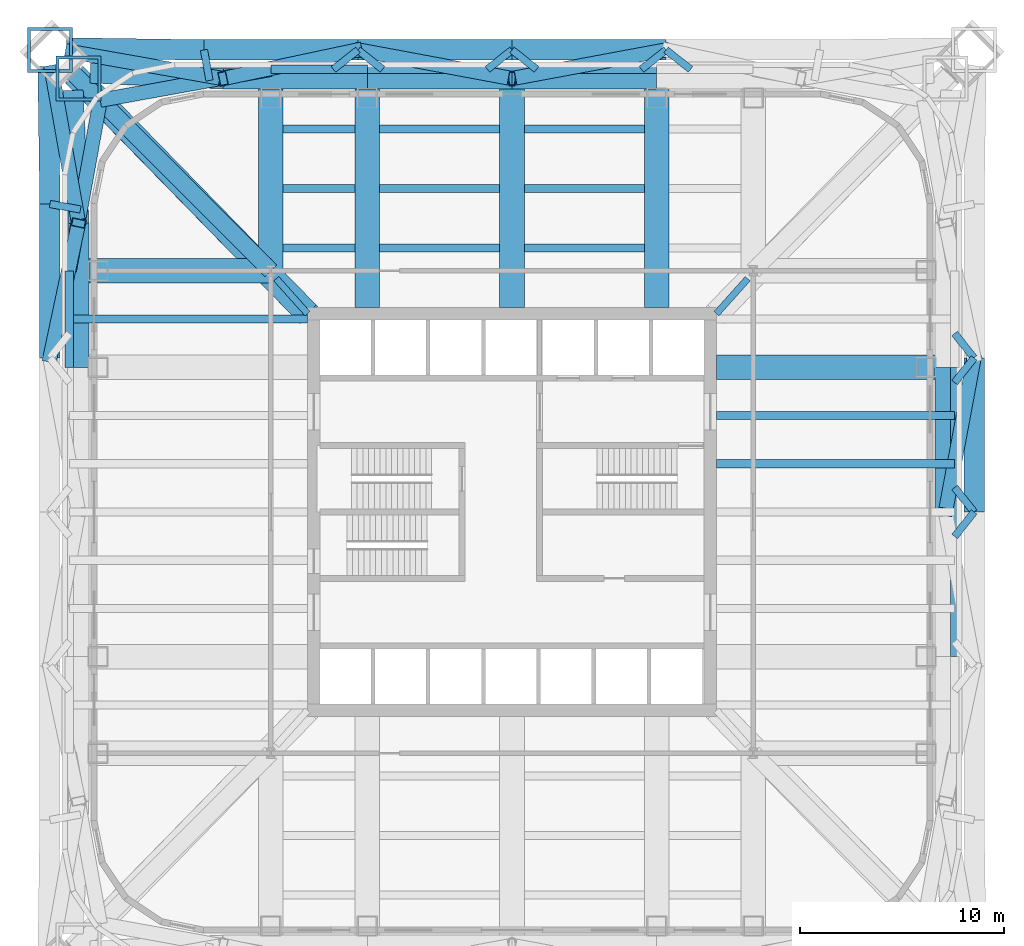
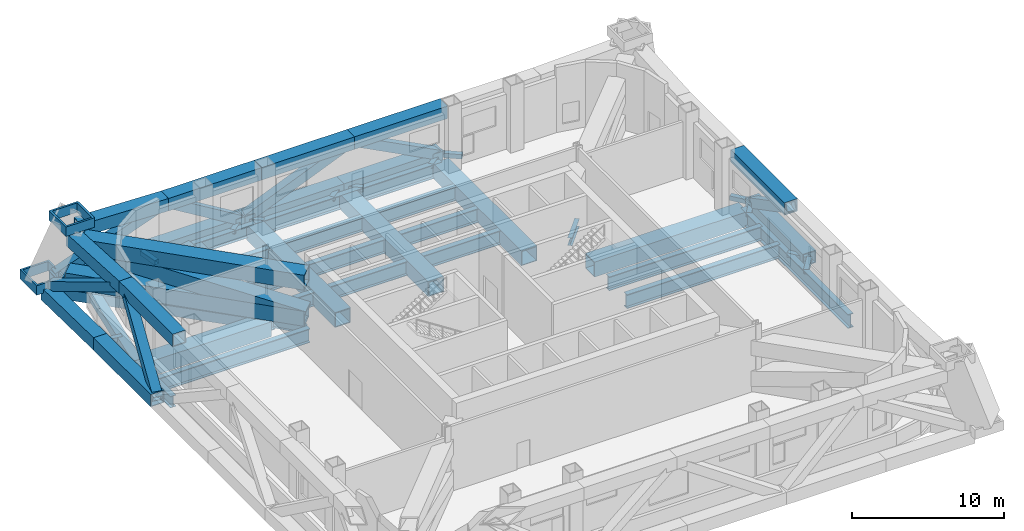
# One storey, part 3 of 9: 55 beams, 10 members.
"""IFC4 building model written with IfcOpenShell, lengths in metres."""

from ifc_helpers import new_model, si_unit, direction, frame, origin, origin_2d, place, context, subcontext, project, spatial, hollow_rectangle, i_section, extrude, material, material_profile, profile_set, type_object, element, save


model = new_model("IFC4")

# Units and contexts
model_context = context("Model", 3, precision=1e-05, world=origin(), true_north=direction((0.0, 1.0)))
body_context = subcontext(model_context, "Body", "Model", "MODEL_VIEW")
ifc_project = project(units=[si_unit("LENGTHUNIT", "METRE"), si_unit("AREAUNIT", "SQUARE_METRE"), si_unit("VOLUMEUNIT", "CUBIC_METRE"), si_unit("PLANEANGLEUNIT", "RADIAN"), si_unit("MASSUNIT", "GRAM", prefix="KILO")], contexts=[model_context])

# Site, building, storey
site_placement = place(None, origin())
site = spatial("IfcSite", under=ifc_project, at=site_placement, CompositionType="ELEMENT")
building_placement = place(site_placement, origin())
building = spatial("IfcBuilding", under=site, at=building_placement, Name="Turquesa Mirador Hotel Tower", CompositionType="ELEMENT")
storey_placement = place(building_placement, frame((0.0, 0.0, 88.0)))
storey = spatial("IfcBuildingStorey", under=building, at=storey_placement, Name="L23", CompositionType="ELEMENT", Elevation=88.0)

# Beams
ifc_material_1 = material(Name="Steel ASTM A572 Grade 50", Category="steel")
ifc_material_profile_1 = material_profile(ifc_material_1, hollow_rectangle(XDim=1.199951171875, YDim=1.199951171875, WallThickness=0.06005859375, at=origin_2d()), Name="BOX1200X1200X60")
ifc_profile_set_1 = profile_set([ifc_material_profile_1], Name="Steel ASTM A572 Grade 50")
beam_type_1 = type_object("IfcBeamType", Name="BEAM BOX1200X1200X60", PredefinedType="BEAM", material=ifc_profile_set_1)
for number, where, z_axis, x_axis, name in (
    (1, (47.919921875, 66.64990234375, -0.85009765625), (0.0, -1.0, 0.0), (1.0, 0.0, 0.0), "GD-L23-N--7.08"),
    (2, (62.080078125, 66.64990234375, -0.85009765625), (0.0, -1.0, 0.0), (1.0, 0.0, 0.0), "GD-L23-N-+7.08"),
    (3, (55.0, 66.64990234375, -0.85009765625), (0.0, -1.0, 0.0), (1.0, 0.0, 0.0), "GD-L23-N-+0.00"),
):
    element("IfcBeam", number, at=place(storey_placement, frame(where, z_axis=z_axis, x_axis=x_axis)), inside=storey, type_object=beam_type_1, Name=name, PredefinedType="BEAM", context=body_context, shape_type="SweptSolid", body=[
        extrude(hollow_rectangle(XDim=1.199951171875, YDim=1.199951171875, WallThickness=0.06005859375, at=origin_2d()), origin(), (0.0, 0.0, 1.0), 11.64990234375),
    ])
beam_1_placement = place(storey_placement, frame((43.199951171875, 66.64990234375, -0.85009765625), z_axis=(0.0, -1.0, 0.0), x_axis=(1.0, 0.0, 0.0)))
element("IfcBeam", 4, at=beam_1_placement, inside=storey, type_object=beam_type_1, Name="GK-L23-N--11.80", PredefinedType="BEAM", context=body_context, shape_type="SweptSolid", body=[
    extrude(hollow_rectangle(XDim=1.199951171875, YDim=1.199951171875, WallThickness=0.06005859375, at=origin_2d()), origin(), (0.0, 0.0, 1.0), 9.849853515625),
])
beam_2_placement = place(storey_placement, frame((76.64990234375, 52.080078125, -0.85009765625), z_axis=(-1.0, 0.0, 0.0), x_axis=(0.0, -1.0, 0.0)))
element("IfcBeam", 5, at=beam_2_placement, inside=storey, type_object=beam_type_1, Name="GD-L23-E-+7.08", PredefinedType="BEAM", context=body_context, shape_type="SweptSolid", body=[
    extrude(hollow_rectangle(XDim=1.199951171875, YDim=1.199951171875, WallThickness=0.06005859375, at=origin_2d()), origin(), (0.0, 0.0, 1.0), 11.64990234375),
])
beam_3_placement = place(storey_placement, frame((33.35009765625, 56.800048828125, -0.85009765625), z_axis=(1.0, 0.0, 0.0), x_axis=(0.0, 1.0, 0.0)))
element("IfcBeam", 6, at=beam_3_placement, inside=storey, type_object=beam_type_1, Name="GK-L23-W-+11.80", PredefinedType="BEAM", context=body_context, shape_type="SweptSolid", body=[
    extrude(hollow_rectangle(XDim=1.199951171875, YDim=1.199951171875, WallThickness=0.06005859375, at=origin_2d()), origin(), (0.0, 0.0, 1.0), 9.849853515625),
])
ifc_material_2 = material(Name="Steel ASTM A572 Grade 50", Category="steel")
ifc_material_profile_2 = material_profile(ifc_material_2, hollow_rectangle(XDim=0.699951171875, YDim=0.699951171875, WallThickness=0.044921875, at=origin_2d()), Name="BOX700X700X45")
ifc_profile_set_2 = profile_set([ifc_material_profile_2], Name="Steel ASTM A572 Grade 50")
beam_type_2 = type_object("IfcBeamType", Name="BEAM BOX700X700X45", PredefinedType="BEAM", material=ifc_profile_set_2)
for number, where, z_axis, x_axis, name in (
    (7, (33.35009765625, 56.800048828125, -0.60009765625), (0.177932387818, 0.984042715214, 0.0), (-0.984042715214, 0.177932387818, 0.0), "KE-L23-2-0"),
    (8, (34.8583984375, 65.1416015625, -0.60009765625), (0.984042715214, 0.177932387818, 0.0), (-0.177932387818, 0.984042715214, 0.0), "KE-L23-2-1"),
):
    element("IfcBeam", number, at=place(storey_placement, frame(where, z_axis=z_axis, x_axis=x_axis)), inside=storey, type_object=beam_type_2, Name=name, PredefinedType="BEAM", context=body_context, shape_type="SweptSolid", body=[
        extrude(hollow_rectangle(XDim=0.699951171875, YDim=0.699951171875, WallThickness=0.044921875, at=origin_2d()), origin(), (0.0, 0.0, 1.0), 8.476806640625),
    ])
ifc_material_3 = material(Name="Steel ASTM A572 Grade 50", Category="steel")
ifc_material_profile_3 = material_profile(ifc_material_3, hollow_rectangle(XDim=0.800048828125, YDim=0.800048828125, WallThickness=0.050048828125, at=origin_2d()), Name="BOX800X800X50")
ifc_profile_set_3 = profile_set([ifc_material_profile_3], Name="Steel ASTM A572 Grade 50")
beam_type_3 = type_object("IfcBeamType", Name="BEAM BOX800X800X50", PredefinedType="BEAM", material=ifc_profile_set_3)
beam_4_placement = place(storey_placement, frame((43.199951171875, 56.800048828125, -0.64990234375), z_axis=(-0.707106781187, 0.707106781187, 0.0), x_axis=(-0.707106781187, -0.707106781187, 0.0)))
element("IfcBeam", 9, at=beam_4_placement, inside=storey, type_object=beam_type_3, Name="KD-L23-2", PredefinedType="BEAM", context=body_context, shape_type="SweptSolid", body=[
    extrude(hollow_rectangle(XDim=0.800048828125, YDim=0.800048828125, WallThickness=0.050048828125, at=origin_2d()), origin(), (0.0, 0.0, 1.0), 13.78857421875),
])
ifc_material_4 = material(Name="Steel ASTM A992 Grade 50", Category="steel")
ifc_material_profile_4 = material_profile(ifc_material_4, i_section(OverallWidth=0.3251953125, OverallDepth=0.612060546875, WebThickness=0.0126953125, FlangeThickness=0.01904296875, at=origin_2d()), Name="W24X104")
ifc_profile_set_4 = profile_set([ifc_material_profile_4], Name="Steel ASTM A992 Grade 50")
beam_type_4 = type_object("IfcBeamType", Name="BEAM W24X104", PredefinedType="BEAM", material=ifc_profile_set_4)
for number, where, z_axis, x_axis, name in (
    (10, (66.529541015625, 56.40966796875, -0.55615234375), (-0.666745084392, -0.745285846129, 0.0), (0.745285846129, -0.666745084392, 0.0), "KT-L23-1"),
    (11, (43.470458984375, 56.40966796875, -0.55615234375), (0.666745084392, -0.745285846129, 0.0), (0.745285846129, 0.666745084392, 0.0), "KT-L23-2"),
):
    element("IfcBeam", number, at=place(storey_placement, frame(where, z_axis=z_axis, x_axis=x_axis)), inside=storey, type_object=beam_type_4, Name=name, PredefinedType="BEAM", context=body_context, shape_type="SweptSolid", body=[
        extrude(i_section(OverallWidth=0.3251953125, OverallDepth=0.612060546875, WebThickness=0.0126953125, FlangeThickness=0.01904296875, at=origin_2d()), origin(), (0.0, 0.0, 1.0), 2.2939453125),
    ])
ifc_material_5 = material(Name="Steel ASTM A992 Grade 50", Category="steel")
ifc_material_profile_5 = material_profile(ifc_material_5, i_section(OverallWidth=0.419189453125, OverallDepth=0.927001953125, WebThickness=0.019287109375, FlangeThickness=0.031982421875, at=origin_2d()), Name="W36X231")
ifc_profile_set_5 = profile_set([ifc_material_profile_5], Name="Steel ASTM A992 Grade 50")
beam_type_5 = type_object("IfcBeamType", Name="BEAM W36X231", PredefinedType="BEAM", material=ifc_profile_set_5)
for number, where, z_axis, x_axis, name in (
    (12, (43.199951171875, 66.64990234375, -0.713623046875), (1.0, 0.0, 0.0), (0.0, 1.0, 0.0), "EB-L23-N-L"),
    (13, (33.35009765625, 52.080078125, -0.713623046875), (0.0, 1.0, 0.0), (-1.0, 0.0, 0.0), "EB-L23-W-R"),
):
    element("IfcBeam", number, at=place(storey_placement, frame(where, z_axis=z_axis, x_axis=x_axis)), inside=storey, type_object=beam_type_5, Name=name, PredefinedType="BEAM", context=body_context, shape_type="SweptSolid", body=[
        extrude(i_section(OverallWidth=0.419189453125, OverallDepth=0.927001953125, WebThickness=0.019287109375, FlangeThickness=0.031982421875, at=origin_2d()), origin(), (0.0, 0.0, 1.0), 4.719970703125),
    ])
ifc_material_6 = material(Name="Steel ASTM A992 Grade 50", Category="steel")
ifc_material_profile_6 = material_profile(ifc_material_6, i_section(OverallWidth=0.40380859375, OverallDepth=1.11767578125, WebThickness=0.026123046875, FlangeThickness=0.044921875, at=origin_2d()), Name="W44X335")
ifc_profile_set_6 = profile_set([ifc_material_profile_6], Name="Steel ASTM A992 Grade 50")
beam_type_6 = type_object("IfcBeamType", Name="BEAM W44X335", PredefinedType="BEAM", material=ifc_profile_set_6)
beam_5_placement = place(storey_placement, frame((43.800048828125, 57.912109375, -0.808837890625), z_axis=(1.0, 0.0, 0.0), x_axis=(0.0, 1.0, 0.0)))
element("IfcBeam", 14, at=beam_5_placement, inside=storey, type_object=beam_type_6, Name="IB-L23-N-1-0", PredefinedType="BEAM", context=body_context, shape_type="SweptSolid", body=[
    extrude(i_section(OverallWidth=0.40380859375, OverallDepth=1.11767578125, WebThickness=0.026123046875, FlangeThickness=0.044921875, at=origin_2d()), origin(), (0.0, 0.0, 1.0), 3.52001953125),
])
for number, where, z_axis, x_axis, name in (
    (15, (48.52001953125, 57.912109375, -0.808837890625), (1.0, 0.0, 0.0), (0.0, 1.0, 0.0), "IB-L23-N-1-1"),
    (16, (55.60009765625, 57.912109375, -0.808837890625), (1.0, 0.0, 0.0), (0.0, 1.0, 0.0), "IB-L23-N-1-2"),
):
    element("IfcBeam", number, at=place(storey_placement, frame(where, z_axis=z_axis, x_axis=x_axis)), inside=storey, type_object=beam_type_6, Name=name, PredefinedType="BEAM", context=body_context, shape_type="SweptSolid", body=[
        extrude(i_section(OverallWidth=0.40380859375, OverallDepth=1.11767578125, WebThickness=0.026123046875, FlangeThickness=0.044921875, at=origin_2d()), origin(), (0.0, 0.0, 1.0), 5.8798828125),
    ])
beam_6_placement = place(storey_placement, frame((43.800048828125, 60.824951171875, -0.808837890625), z_axis=(1.0, 0.0, 0.0), x_axis=(0.0, 1.0, 0.0)))
element("IfcBeam", 17, at=beam_6_placement, inside=storey, type_object=beam_type_6, Name="IB-L23-N-2-0", PredefinedType="BEAM", context=body_context, shape_type="SweptSolid", body=[
    extrude(i_section(OverallWidth=0.40380859375, OverallDepth=1.11767578125, WebThickness=0.026123046875, FlangeThickness=0.044921875, at=origin_2d()), origin(), (0.0, 0.0, 1.0), 3.52001953125),
])
for number, where, z_axis, x_axis, name in (
    (18, (48.52001953125, 60.824951171875, -0.808837890625), (1.0, 0.0, 0.0), (0.0, 1.0, 0.0), "IB-L23-N-2-1"),
    (19, (55.60009765625, 60.824951171875, -0.808837890625), (1.0, 0.0, 0.0), (0.0, 1.0, 0.0), "IB-L23-N-2-2"),
):
    element("IfcBeam", number, at=place(storey_placement, frame(where, z_axis=z_axis, x_axis=x_axis)), inside=storey, type_object=beam_type_6, Name=name, PredefinedType="BEAM", context=body_context, shape_type="SweptSolid", body=[
        extrude(i_section(OverallWidth=0.40380859375, OverallDepth=1.11767578125, WebThickness=0.026123046875, FlangeThickness=0.044921875, at=origin_2d()), origin(), (0.0, 0.0, 1.0), 5.8798828125),
    ])
beam_7_placement = place(storey_placement, frame((43.800048828125, 63.737060546875, -0.808837890625), z_axis=(1.0, 0.0, 0.0), x_axis=(0.0, 1.0, 0.0)))
element("IfcBeam", 20, at=beam_7_placement, inside=storey, type_object=beam_type_6, Name="IB-L23-N-3-0", PredefinedType="BEAM", context=body_context, shape_type="SweptSolid", body=[
    extrude(i_section(OverallWidth=0.40380859375, OverallDepth=1.11767578125, WebThickness=0.026123046875, FlangeThickness=0.044921875, at=origin_2d()), origin(), (0.0, 0.0, 1.0), 3.52001953125),
])
for number, where, z_axis, x_axis, name in (
    (21, (48.52001953125, 63.737060546875, -0.808837890625), (1.0, 0.0, 0.0), (0.0, 1.0, 0.0), "IB-L23-N-3-1"),
    (22, (55.60009765625, 63.737060546875, -0.808837890625), (1.0, 0.0, 0.0), (0.0, 1.0, 0.0), "IB-L23-N-3-2"),
):
    element("IfcBeam", number, at=place(storey_placement, frame(where, z_axis=z_axis, x_axis=x_axis)), inside=storey, type_object=beam_type_6, Name=name, PredefinedType="BEAM", context=body_context, shape_type="SweptSolid", body=[
        extrude(i_section(OverallWidth=0.40380859375, OverallDepth=1.11767578125, WebThickness=0.026123046875, FlangeThickness=0.044921875, at=origin_2d()), origin(), (0.0, 0.0, 1.0), 5.8798828125),
    ])
beam_8_placement = place(storey_placement, frame((47.919921875, 66.64990234375, -0.808837890625), z_axis=(1.0, 0.0, 0.0), x_axis=(0.0, 1.0, 0.0)))
element("IfcBeam", 23, at=beam_8_placement, inside=storey, type_object=beam_type_6, Name="EB-L23-N-C", PredefinedType="BEAM", context=body_context, shape_type="SweptSolid", body=[
    extrude(i_section(OverallWidth=0.40380859375, OverallDepth=1.11767578125, WebThickness=0.026123046875, FlangeThickness=0.044921875, at=origin_2d()), origin(), (0.0, 0.0, 1.0), 14.16015625),
])
for number, where, z_axis, x_axis, name in (
    (24, (76.64990234375, 47.360107421875, -0.808837890625), (-1.0, 0.0, 0.0), (0.0, -1.0, 0.0), "BM-L23-E-+2.36"),
    (25, (76.64990234375, 49.719970703125, -0.808837890625), (-1.0, 0.0, 0.0), (0.0, -1.0, 0.0), "BM-L23-E-+4.72"),
):
    element("IfcBeam", number, at=place(storey_placement, frame(where, z_axis=z_axis, x_axis=x_axis)), inside=storey, type_object=beam_type_6, Name=name, PredefinedType="BEAM", context=body_context, shape_type="SweptSolid", body=[
        extrude(i_section(OverallWidth=0.40380859375, OverallDepth=1.11767578125, WebThickness=0.026123046875, FlangeThickness=0.044921875, at=origin_2d()), origin(), (0.0, 0.0, 1.0), 11.64990234375),
    ])
beam_9_placement = place(storey_placement, frame((76.64990234375, 37.919921875, -0.808837890625), z_axis=(0.0, 1.0, 0.0), x_axis=(-1.0, 0.0, 0.0)))
element("IfcBeam", 26, at=beam_9_placement, inside=storey, type_object=beam_type_6, Name="EB-L23-E-C", PredefinedType="BEAM", context=body_context, shape_type="SweptSolid", body=[
    extrude(i_section(OverallWidth=0.40380859375, OverallDepth=1.11767578125, WebThickness=0.026123046875, FlangeThickness=0.044921875, at=origin_2d()), origin(), (0.0, 0.0, 1.0), 14.16015625),
])
beam_10_placement = place(storey_placement, frame((33.35009765625, 54.43994140625, -0.808837890625), z_axis=(1.0, 0.0, 0.0), x_axis=(0.0, 1.0, 0.0)))
element("IfcBeam", 27, at=beam_10_placement, inside=storey, type_object=beam_type_6, Name="BM-L23-W-+9.44", PredefinedType="BEAM", context=body_context, shape_type="SweptSolid", body=[
    extrude(i_section(OverallWidth=0.40380859375, OverallDepth=1.11767578125, WebThickness=0.026123046875, FlangeThickness=0.044921875, at=origin_2d()), origin(), (0.0, 0.0, 1.0), 11.64990234375),
])
ifc_material_7 = material(Name="Steel ASTM A572 Grade 50", Category="steel")
ifc_material_profile_7 = material_profile(ifc_material_7, hollow_rectangle(XDim=1.0, YDim=1.0, WallThickness=0.06005859375, at=origin_2d()), Name="BOX1000X1000X60")
ifc_profile_set_7 = profile_set([ifc_material_profile_7], Name="Steel ASTM A572 Grade 50")
beam_type_7 = type_object("IfcBeamType", Name="BELT TRUSS CHORD BOX1000X1000X60", PredefinedType="BEAM", material=ifc_profile_set_7)
beam_11_placement = place(storey_placement, frame((33.206298828125, 67.697509765625, -0.427734375), z_axis=(0.999895171784, -0.014479138185, 0.0), x_axis=(0.014479138185, 0.999895171784, 0.0)))
element("IfcBeam", 28, at=beam_11_placement, inside=storey, type_object=beam_type_7, Name="Belt truss bottom chord N", PredefinedType="BEAM", context=body_context, shape_type="SweptSolid", body=[
    extrude(hollow_rectangle(XDim=1.0, YDim=1.0, WallThickness=0.06005859375, at=origin_2d()), origin(), (0.0, 0.0, 1.0), 6.727783203125),
])
beam_12_placement = place(storey_placement, frame((34.374267578125, 66.473876953125, 4.199951171875), z_axis=(0.999111122938, -0.042154051064, 0.0), x_axis=(0.042154051064, 0.999111122938, 0.0)))
element("IfcBeam", 29, at=beam_12_placement, inside=storey, type_object=beam_type_7, Name="Belt truss top chord N", PredefinedType="BEAM", context=body_context, shape_type="SweptSolid", body=[
    extrude(hollow_rectangle(XDim=1.0, YDim=1.0, WallThickness=0.06005859375, at=origin_2d()), origin(), (0.0, 0.0, 1.0), 6.498291015625),
])
beam_13_placement = place(storey_placement, frame((39.933349609375, 67.60009765625, -0.427734375), z_axis=(1.0, 0.0, 0.0), x_axis=(0.0, 1.0, 0.0)))
element("IfcBeam", 30, at=beam_13_placement, inside=storey, type_object=beam_type_7, Name="Belt truss bottom chord N", PredefinedType="BEAM", context=body_context, shape_type="SweptSolid", body=[
    extrude(hollow_rectangle(XDim=1.0, YDim=1.0, WallThickness=0.06005859375, at=origin_2d()), origin(), (0.0, 0.0, 1.0), 7.533203125),
])
beam_14_placement = place(storey_placement, frame((40.86669921875, 66.199951171875, 4.199951171875), z_axis=(1.0, 0.0, 0.0), x_axis=(0.0, 1.0, 0.0)))
element("IfcBeam", 31, at=beam_14_placement, inside=storey, type_object=beam_type_7, Name="Belt truss top chord N", PredefinedType="BEAM", context=body_context, shape_type="SweptSolid", body=[
    extrude(hollow_rectangle(XDim=1.0, YDim=1.0, WallThickness=0.06005859375, at=origin_2d()), origin(), (0.0, 0.0, 1.0), 7.066650390625),
])
beam_15_placement = place(storey_placement, frame((47.466552734375, 67.60009765625, -0.427734375), z_axis=(1.0, 0.0, 0.0), x_axis=(0.0, 1.0, 0.0)))
element("IfcBeam", 32, at=beam_15_placement, inside=storey, type_object=beam_type_7, Name="Belt truss bottom chord N", PredefinedType="BEAM", context=body_context, shape_type="SweptSolid", body=[
    extrude(hollow_rectangle(XDim=1.0, YDim=1.0, WallThickness=0.06005859375, at=origin_2d()), origin(), (0.0, 0.0, 1.0), 7.533447265625),
])
beam_16_placement = place(storey_placement, frame((47.933349609375, 66.199951171875, 4.199951171875), z_axis=(1.0, 0.0, 0.0), x_axis=(0.0, 1.0, 0.0)))
element("IfcBeam", 33, at=beam_16_placement, inside=storey, type_object=beam_type_7, Name="Belt truss top chord N", PredefinedType="BEAM", context=body_context, shape_type="SweptSolid", body=[
    extrude(hollow_rectangle(XDim=1.0, YDim=1.0, WallThickness=0.06005859375, at=origin_2d()), origin(), (0.0, 0.0, 1.0), 7.066650390625),
])
beam_17_placement = place(storey_placement, frame((55.0, 67.60009765625, -0.427734375), z_axis=(1.0, 0.0, 0.0), x_axis=(0.0, 1.0, 0.0)))
element("IfcBeam", 34, at=beam_17_placement, inside=storey, type_object=beam_type_7, Name="Belt truss bottom chord N", PredefinedType="BEAM", context=body_context, shape_type="SweptSolid", body=[
    extrude(hollow_rectangle(XDim=1.0, YDim=1.0, WallThickness=0.06005859375, at=origin_2d()), origin(), (0.0, 0.0, 1.0), 7.533447265625),
])
beam_18_placement = place(storey_placement, frame((55.0, 66.199951171875, 4.199951171875), z_axis=(1.0, 0.0, 0.0), x_axis=(0.0, 1.0, 0.0)))
element("IfcBeam", 35, at=beam_18_placement, inside=storey, type_object=beam_type_7, Name="Belt truss top chord N", PredefinedType="BEAM", context=body_context, shape_type="SweptSolid", body=[
    extrude(hollow_rectangle(XDim=1.0, YDim=1.0, WallThickness=0.06005859375, at=origin_2d()), origin(), (0.0, 0.0, 1.0), 7.066650390625),
])
beam_19_placement = place(storey_placement, frame((77.60009765625, 45.0, -0.427734375), z_axis=(0.0, 1.0, 0.0), x_axis=(-1.0, 0.0, 0.0)))
element("IfcBeam", 36, at=beam_19_placement, inside=storey, type_object=beam_type_7, Name="Belt truss bottom chord E", PredefinedType="BEAM", context=body_context, shape_type="SweptSolid", body=[
    extrude(hollow_rectangle(XDim=1.0, YDim=1.0, WallThickness=0.06005859375, at=origin_2d()), origin(), (0.0, 0.0, 1.0), 7.533447265625),
])
beam_20_placement = place(storey_placement, frame((76.199951171875, 45.0, 4.199951171875), z_axis=(0.0, 1.0, 0.0), x_axis=(-1.0, 0.0, 0.0)))
element("IfcBeam", 37, at=beam_20_placement, inside=storey, type_object=beam_type_7, Name="Belt truss top chord E", PredefinedType="BEAM", context=body_context, shape_type="SweptSolid", body=[
    extrude(hollow_rectangle(XDim=1.0, YDim=1.0, WallThickness=0.06005859375, at=origin_2d()), origin(), (0.0, 0.0, 1.0), 7.066650390625),
])
beam_21_placement = place(storey_placement, frame((32.39990234375, 52.533447265625, -0.427734375), z_axis=(0.0, 1.0, 0.0), x_axis=(-1.0, 0.0, 0.0)))
element("IfcBeam", 38, at=beam_21_placement, inside=storey, type_object=beam_type_7, Name="Belt truss bottom chord W", PredefinedType="BEAM", context=body_context, shape_type="SweptSolid", body=[
    extrude(hollow_rectangle(XDim=1.0, YDim=1.0, WallThickness=0.06005859375, at=origin_2d()), origin(), (0.0, 0.0, 1.0), 7.533203125),
])
beam_22_placement = place(storey_placement, frame((33.800048828125, 52.066650390625, 4.199951171875), z_axis=(0.0, 1.0, 0.0), x_axis=(-1.0, 0.0, 0.0)))
element("IfcBeam", 39, at=beam_22_placement, inside=storey, type_object=beam_type_7, Name="Belt truss top chord W", PredefinedType="BEAM", context=body_context, shape_type="SweptSolid", body=[
    extrude(hollow_rectangle(XDim=1.0, YDim=1.0, WallThickness=0.06005859375, at=origin_2d()), origin(), (0.0, 0.0, 1.0), 7.066650390625),
])
beam_23_placement = place(storey_placement, frame((32.39990234375, 60.066650390625, -0.427734375), z_axis=(-0.014479138185, 0.999895171784, 0.0), x_axis=(-0.999895171784, -0.014479138185, 0.0)))
element("IfcBeam", 40, at=beam_23_placement, inside=storey, type_object=beam_type_7, Name="Belt truss bottom chord W", PredefinedType="BEAM", context=body_context, shape_type="SweptSolid", body=[
    extrude(hollow_rectangle(XDim=1.0, YDim=1.0, WallThickness=0.06005859375, at=origin_2d()), origin(), (0.0, 0.0, 1.0), 6.727783203125),
])
beam_24_placement = place(storey_placement, frame((33.800048828125, 59.13330078125, 4.199951171875), z_axis=(-0.042154051064, 0.999111122938, 0.0), x_axis=(-0.999111122938, -0.042154051064, 0.0)))
element("IfcBeam", 41, at=beam_24_placement, inside=storey, type_object=beam_type_7, Name="Belt truss top chord W", PredefinedType="BEAM", context=body_context, shape_type="SweptSolid", body=[
    extrude(hollow_rectangle(XDim=1.0, YDim=1.0, WallThickness=0.06005859375, at=origin_2d()), origin(), (0.0, 0.0, 1.0), 6.498291015625),
])

# Members
ifc_material_8 = material(Name="Steel ASTM A572 Grade 50", Category="steel")
ifc_material_profile_8 = material_profile(ifc_material_8, hollow_rectangle(XDim=0.699951171875, YDim=0.699951171875, WallThickness=0.044921875, at=origin_2d()), Name="BOX700X700X45")
ifc_profile_set_8 = profile_set([ifc_material_profile_8], Name="Steel ASTM A572 Grade 50")
member_type_1 = type_object("IfcMemberType", Name="BELT TRUSS DIAGONAL BOX700X700X45", PredefinedType="BRACE", material=ifc_profile_set_8)
member_1_placement = place(storey_placement, frame((33.318359375, 67.529541015625, 0.12744140625), z_axis=(0.869692632776, -0.153190571127, 0.469219962719), x_axis=(0.17347277854, 0.984838664506, 0.0)))
element("IfcMember", 42, at=member_1_placement, inside=storey, type_object=member_type_1, Name="Belt truss diagonal N", PredefinedType="BRACE", context=body_context, shape_type="SweptSolid", body=[
    extrude(hollow_rectangle(XDim=0.699951171875, YDim=0.699951171875, WallThickness=0.044921875, at=origin_2d()), origin(), (0.0, 0.0, 1.0), 8.67919921875),
])
member_2_placement = place(storey_placement, frame((40.86669921875, 66.199951171875, 4.199951171875), z_axis=(0.806698164077, 0.171139495098, -0.565640650319), x_axis=(-0.207529392542, 0.978228782664, 0.0)))
element("IfcMember", 43, at=member_2_placement, inside=storey, type_object=member_type_1, Name="Belt truss diagonal N", PredefinedType="BRACE", context=body_context, shape_type="SweptSolid", body=[
    extrude(hollow_rectangle(XDim=0.699951171875, YDim=0.699951171875, WallThickness=0.044921875, at=origin_2d()), origin(), (0.0, 0.0, 1.0), 8.181396484375),
])
for number, where, z_axis, x_axis, name in (
    (44, (47.466552734375, 67.60009765625, -0.427734375), (0.841588269094, -0.156415358695, 0.516975261389), (0.182728150566, 0.983163477246, 0.0), "Belt truss diagonal N"),
    (45, (55.0, 66.199951171875, 4.199951171875), (0.841588269094, 0.156415358695, -0.516975261389), (-0.182728150566, 0.983163477246, 0.0), "Belt truss diagonal N"),
    (46, (76.199951171875, 45.0, 4.199951171875), (0.156415358695, 0.841588269094, -0.516975261389), (-0.983163477246, 0.182728150566, 0.0), "Belt truss diagonal E"),
):
    element("IfcMember", number, at=place(storey_placement, frame(where, z_axis=z_axis, x_axis=x_axis)), inside=storey, type_object=member_type_1, Name=name, PredefinedType="BRACE", context=body_context, shape_type="SweptSolid", body=[
        extrude(hollow_rectangle(XDim=0.699951171875, YDim=0.699951171875, WallThickness=0.044921875, at=origin_2d()), origin(), (0.0, 0.0, 1.0), 8.951416015625),
    ])
member_3_placement = place(storey_placement, frame((32.39990234375, 52.533447265625, -0.427734375), z_axis=(0.171139495098, 0.806698164077, 0.565640650319), x_axis=(-0.978228782664, 0.207529392542, 0.0)))
element("IfcMember", 47, at=member_3_placement, inside=storey, type_object=member_type_1, Name="Belt truss diagonal W", PredefinedType="BRACE", context=body_context, shape_type="SweptSolid", body=[
    extrude(hollow_rectangle(XDim=0.699951171875, YDim=0.699951171875, WallThickness=0.044921875, at=origin_2d()), origin(), (0.0, 0.0, 1.0), 8.181396484375),
])
member_4_placement = place(storey_placement, frame((33.800048828125, 59.13330078125, 4.199951171875), z_axis=(-0.153190571127, 0.869692632776, -0.469219962719), x_axis=(-0.984838664506, -0.17347277854, 0.0)))
element("IfcMember", 48, at=member_4_placement, inside=storey, type_object=member_type_1, Name="Belt truss diagonal W", PredefinedType="BRACE", context=body_context, shape_type="SweptSolid", body=[
    extrude(hollow_rectangle(XDim=0.699951171875, YDim=0.699951171875, WallThickness=0.044921875, at=origin_2d()), origin(), (0.0, 0.0, 1.0), 8.67919921875),
])

# Beams
ifc_material_9 = material(Name="Steel ASTM A500 Grade C", Category="steel")
ifc_material_profile_9 = material_profile(ifc_material_9, hollow_rectangle(XDim=0.355712890625, YDim=0.355712890625, WallThickness=0.0146484375, at=origin_2d()), Name="HSS14X14X5/8")
ifc_profile_set_9 = profile_set([ifc_material_profile_9], Name="Steel ASTM A500 Grade C")
beam_type_8 = type_object("IfcBeamType", Name="BRACE STRUT HSS14X14X5/8", PredefinedType="BEAM", material=ifc_profile_set_9)
beam_25_placement = place(storey_placement, frame((39.933349609375, 67.60009765625, -0.427734375), z_axis=(0.177935933856, -0.984042074021, 0.0), x_axis=(0.984042074021, 0.177935933856, 0.0)))
element("IfcBeam", 49, at=beam_25_placement, inside=storey, type_object=beam_type_8, Name="Brace strut", PredefinedType="BEAM", context=body_context, shape_type="SweptSolid", body=[
    extrude(hollow_rectangle(XDim=0.355712890625, YDim=0.355712890625, WallThickness=0.0146484375, at=origin_2d()), origin(), (0.0, 0.0, 1.0), 1.51611328125),
])
beam_26_placement = place(storey_placement, frame((47.466552734375, 67.60009765625, -0.427734375), z_axis=(-0.783971428146, -0.620796907089, 0.0), x_axis=(0.620796907089, -0.783971428146, 0.0)))
element("IfcBeam", 50, at=beam_26_placement, inside=storey, type_object=beam_type_8, Name="Brace strut", PredefinedType="BEAM", context=body_context, shape_type="SweptSolid", body=[
    extrude(hollow_rectangle(XDim=0.355712890625, YDim=0.355712890625, WallThickness=0.0146484375, at=origin_2d()), origin(), (0.0, 0.0, 1.0), 1.530517578125),
])
beam_27_placement = place(storey_placement, frame((47.466552734375, 67.60009765625, -0.427734375), z_axis=(0.784032888399, -0.620719284306, 0.0), x_axis=(0.620719284306, 0.784032888399, 0.0)))
element("IfcBeam", 51, at=beam_27_placement, inside=storey, type_object=beam_type_8, Name="Brace strut", PredefinedType="BEAM", context=body_context, shape_type="SweptSolid", body=[
    extrude(hollow_rectangle(XDim=0.355712890625, YDim=0.355712890625, WallThickness=0.0146484375, at=origin_2d()), origin(), (0.0, 0.0, 1.0), 1.53076171875),
])
for number, where, z_axis, x_axis, name in (
    (52, (55.0, 67.60009765625, -0.427734375), (-0.783971428146, -0.620796907089, 0.0), (0.620796907089, -0.783971428146, 0.0), "Brace strut"),
    (53, (55.0, 67.60009765625, -0.427734375), (0.783971428146, -0.620796907089, 0.0), (0.620796907089, 0.783971428146, 0.0), "Brace strut"),
):
    element("IfcBeam", number, at=place(storey_placement, frame(where, z_axis=z_axis, x_axis=x_axis)), inside=storey, type_object=beam_type_8, Name=name, PredefinedType="BEAM", context=body_context, shape_type="SweptSolid", body=[
        extrude(hollow_rectangle(XDim=0.355712890625, YDim=0.355712890625, WallThickness=0.0146484375, at=origin_2d()), origin(), (0.0, 0.0, 1.0), 1.530517578125),
    ])
beam_28_placement = place(storey_placement, frame((62.533447265625, 67.60009765625, -0.427734375), z_axis=(-0.784032888399, -0.620719284306, 0.0), x_axis=(0.620719284306, -0.784032888399, 0.0)))
element("IfcBeam", 54, at=beam_28_placement, inside=storey, type_object=beam_type_8, Name="Brace strut", PredefinedType="BEAM", context=body_context, shape_type="SweptSolid", body=[
    extrude(hollow_rectangle(XDim=0.355712890625, YDim=0.355712890625, WallThickness=0.0146484375, at=origin_2d()), origin(), (0.0, 0.0, 1.0), 1.53076171875),
])
for number, where, z_axis, x_axis, name in (
    (55, (62.533447265625, 67.60009765625, -0.427734375), (0.783971428146, -0.620796907089, 0.0), (0.620796907089, 0.783971428146, 0.0), "Brace strut"),
    (56, (77.60009765625, 45.0, -0.427734375), (-0.620796907089, -0.783971428146, 0.0), (0.783971428146, -0.620796907089, 0.0), "Brace strut"),
    (57, (77.60009765625, 45.0, -0.427734375), (-0.620796907089, 0.783971428146, 0.0), (-0.783971428146, -0.620796907089, 0.0), "Brace strut"),
):
    element("IfcBeam", number, at=place(storey_placement, frame(where, z_axis=z_axis, x_axis=x_axis)), inside=storey, type_object=beam_type_8, Name=name, PredefinedType="BEAM", context=body_context, shape_type="SweptSolid", body=[
        extrude(hollow_rectangle(XDim=0.355712890625, YDim=0.355712890625, WallThickness=0.0146484375, at=origin_2d()), origin(), (0.0, 0.0, 1.0), 1.530517578125),
    ])
beam_29_placement = place(storey_placement, frame((77.60009765625, 52.533447265625, -0.427734375), z_axis=(-0.620719284306, -0.784032888399, 0.0), x_axis=(0.784032888399, -0.620719284306, 0.0)))
element("IfcBeam", 58, at=beam_29_placement, inside=storey, type_object=beam_type_8, Name="Brace strut", PredefinedType="BEAM", context=body_context, shape_type="SweptSolid", body=[
    extrude(hollow_rectangle(XDim=0.355712890625, YDim=0.355712890625, WallThickness=0.0146484375, at=origin_2d()), origin(), (0.0, 0.0, 1.0), 1.53076171875),
])
beam_30_placement = place(storey_placement, frame((77.60009765625, 52.533447265625, -0.427734375), z_axis=(-0.620796907089, 0.783971428146, 0.0), x_axis=(-0.783971428146, -0.620796907089, 0.0)))
element("IfcBeam", 59, at=beam_30_placement, inside=storey, type_object=beam_type_8, Name="Brace strut", PredefinedType="BEAM", context=body_context, shape_type="SweptSolid", body=[
    extrude(hollow_rectangle(XDim=0.355712890625, YDim=0.355712890625, WallThickness=0.0146484375, at=origin_2d()), origin(), (0.0, 0.0, 1.0), 1.530517578125),
])
beam_31_placement = place(storey_placement, frame((32.39990234375, 60.066650390625, -0.427734375), z_axis=(0.984042074021, -0.177935933856, 0.0), x_axis=(0.177935933856, 0.984042074021, 0.0)))
element("IfcBeam", 60, at=beam_31_placement, inside=storey, type_object=beam_type_8, Name="Brace strut", PredefinedType="BEAM", context=body_context, shape_type="SweptSolid", body=[
    extrude(hollow_rectangle(XDim=0.355712890625, YDim=0.355712890625, WallThickness=0.0146484375, at=origin_2d()), origin(), (0.0, 0.0, 1.0), 1.51611328125),
])

# Members
ifc_material_10 = material(Name="Cast steel ASTM A958 Grade SC8620 Class 80/50", Category="steel")
ifc_material_profile_10 = material_profile(ifc_material_10, hollow_rectangle(XDim=2.199951171875, YDim=2.199951171875, WallThickness=0.14990234375, at=origin_2d()), Name="NODE2200X2200X150")
ifc_profile_set_10 = profile_set([ifc_material_profile_10], Name="Cast steel ASTM A958 Grade SC8620 Class 80/50")
member_type_2 = type_object("IfcMemberType", Name="MEGA COLUMN NODE NODE2200X2200X150", PredefinedType="USERDEFINED", material=ifc_profile_set_10)
for number, where, z_axis, x_axis, name in (
    (61, (32.39990234375, 67.60009765625, -0.215576171875), (0.0, 0.0, 1.0), (1.0, 0.0, 0.0), "Mega column node M2 base"),
    (62, (33.800048828125, 66.199951171875, 4.85498046875), (0.0, 0.0, 1.0), (1.0, 0.0, 0.0), "Mega column node M2 head"),
):
    element("IfcMember", number, at=place(storey_placement, frame(where, z_axis=z_axis, x_axis=x_axis)), inside=storey, type_object=member_type_2, Name=name, ObjectType="MEGA COLUMN NODE", PredefinedType="USERDEFINED", context=body_context, shape_type="SweptSolid", body=[
        extrude(hollow_rectangle(XDim=2.199951171875, YDim=2.199951171875, WallThickness=0.14990234375, at=origin_2d()), origin(), (0.0, 0.0, 1.0), 0.760498046875),
    ])

# Beams
ifc_material_11 = material(Name="Steel ASTM A572 Grade 50", Category="steel")
ifc_material_profile_11 = material_profile(ifc_material_11, hollow_rectangle(XDim=1.199951171875, YDim=1.199951171875, WallThickness=0.080078125, at=origin_2d()), Name="BOX1200X1200X80")
ifc_profile_set_11 = profile_set([ifc_material_profile_11], Name="Steel ASTM A572 Grade 50")
beam_type_9 = type_object("IfcBeamType", Name="OUTRIGGER CHORD BOX1200X1200X80", PredefinedType="BEAM", material=ifc_profile_set_11)
beam_32_placement = place(storey_placement, frame((45.0, 54.699951171875, 0.64990234375), z_axis=(-0.698622767972, 0.71549020124, 0.0), x_axis=(-0.71549020124, -0.698622767972, 0.0)))
element("IfcBeam", 63, at=beam_32_placement, inside=storey, type_object=beam_type_9, Name="Outrigger bottom chord 2", PredefinedType="BEAM", context=body_context, shape_type="SweptSolid", body=[
    extrude(hollow_rectangle(XDim=1.199951171875, YDim=1.199951171875, WallThickness=0.080078125, at=origin_2d()), origin(), (0.0, 0.0, 1.0), 16.32666015625),
])
beam_33_placement = place(storey_placement, frame((45.0, 54.699951171875, 3.550048828125), z_axis=(-0.69808537712, 0.716014529358, 0.0), x_axis=(-0.716014529358, -0.69808537712, 0.0)))
element("IfcBeam", 64, at=beam_33_placement, inside=storey, type_object=beam_type_9, Name="Outrigger top chord 2", PredefinedType="BEAM", context=body_context, shape_type="SweptSolid", body=[
    extrude(hollow_rectangle(XDim=1.199951171875, YDim=1.199951171875, WallThickness=0.080078125, at=origin_2d()), origin(), (0.0, 0.0, 1.0), 15.2646484375),
])

# Member
ifc_material_12 = material(Name="Steel ASTM A572 Grade 50", Category="steel")
ifc_material_profile_12 = material_profile(ifc_material_12, hollow_rectangle(XDim=1.199951171875, YDim=1.199951171875, WallThickness=0.080078125, at=origin_2d()), Name="BOX1200X1200X80")
ifc_profile_set_12 = profile_set([ifc_material_profile_12], Name="Steel ASTM A572 Grade 50")
member_type_3 = type_object("IfcMemberType", Name="OUTRIGGER DIAGONAL BOX1200X1200X80", PredefinedType="BRACE", material=ifc_profile_set_12)
member_5_placement = place(storey_placement, frame((45.0, 54.699951171875, 0.64990234375), z_axis=(-0.687828141596, 0.705493853942, 0.170794817482), x_axis=(-0.716014529358, -0.69808537712, 0.0)))
element("IfcMember", 65, at=member_5_placement, inside=storey, type_object=member_type_3, Name="Outrigger diagonal 2", PredefinedType="BRACE", context=body_context, shape_type="SweptSolid", body=[
    extrude(hollow_rectangle(XDim=1.199951171875, YDim=1.199951171875, WallThickness=0.080078125, at=origin_2d()), origin(), (0.0, 0.0, 1.0), 15.4921875),
])

save(model, "model.ifc")
